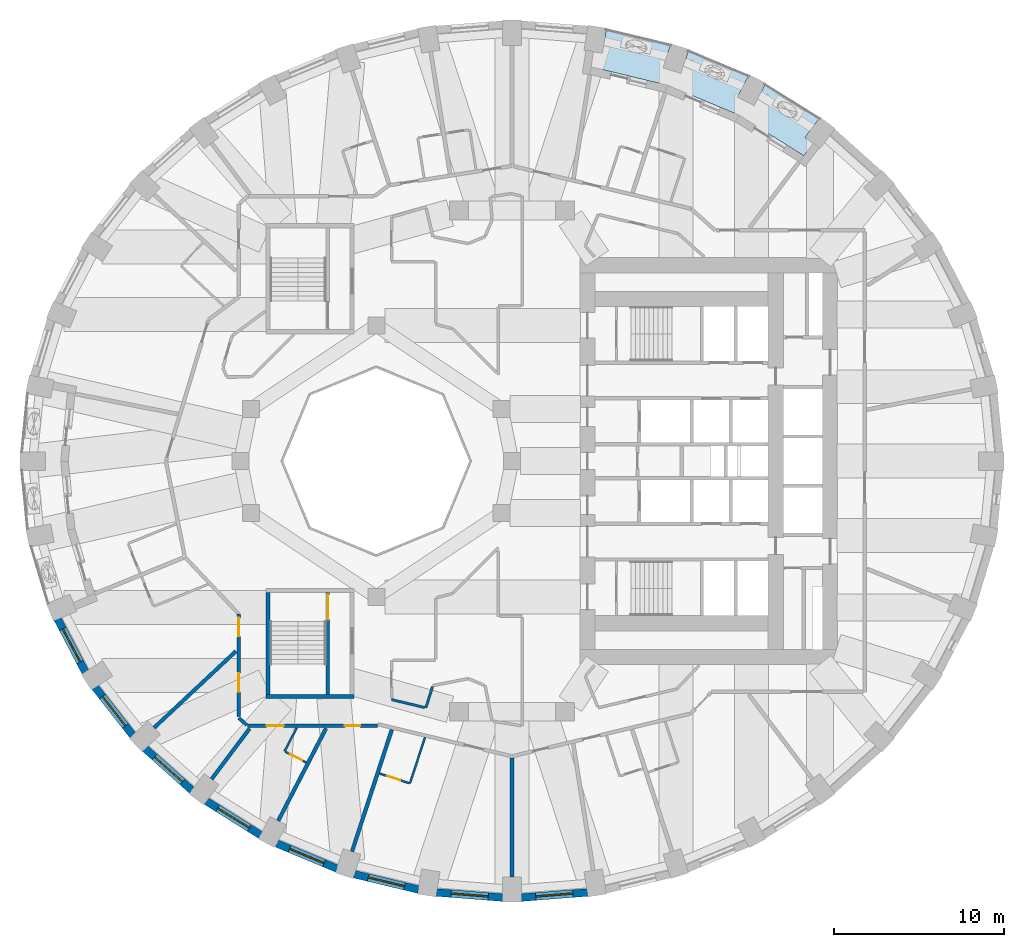
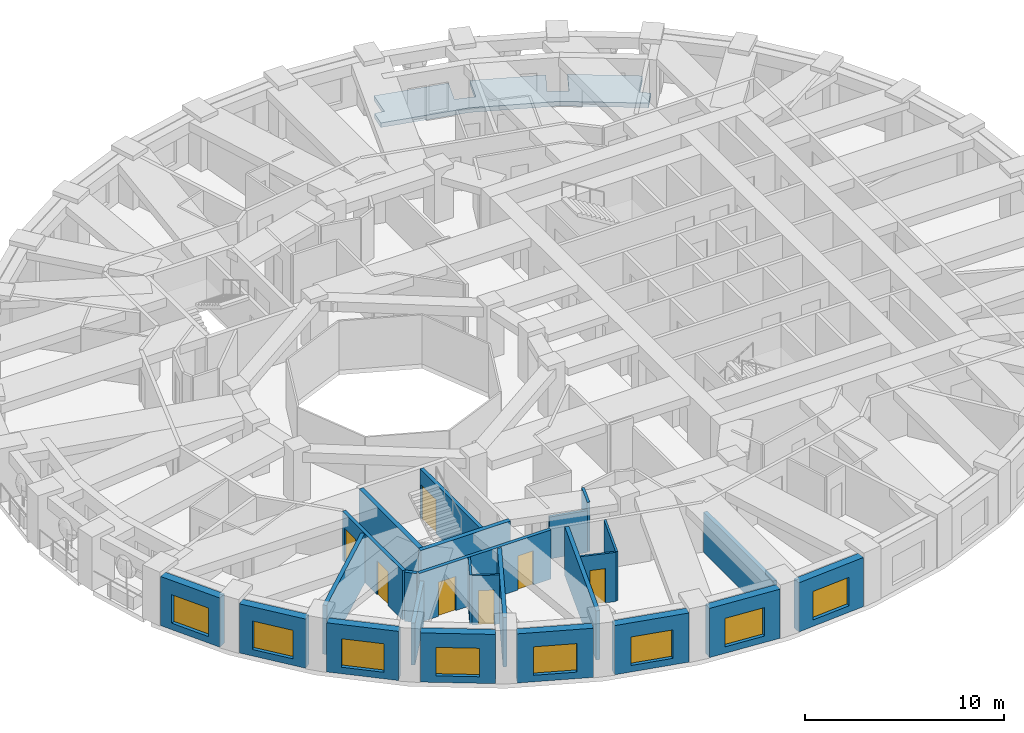
# One storey, part 3 of 14: 25 walls, 8 windows, 7 doors, 1 slab, 15 openings.
"""IFC4 building model written with IfcOpenShell, lengths in metres."""

from ifc_helpers import new_model, si_unit, direction, frame, frame_2d, origin, place, context, subcontext, project, spatial, polyline, rectangle, outline, extrude, material, layer, layer_set, type_object, element, fill, save


model = new_model("IFC4")

# Units and contexts
model_context = context("Model", 3, precision=1e-05, world=origin(), true_north=direction((0.0, 1.0)))
body_context = subcontext(model_context, "Body", "Model", "MODEL_VIEW")
ifc_project = project(units=[si_unit("LENGTHUNIT", "METRE"), si_unit("AREAUNIT", "SQUARE_METRE"), si_unit("VOLUMEUNIT", "CUBIC_METRE"), si_unit("PLANEANGLEUNIT", "RADIAN"), si_unit("MASSUNIT", "GRAM", prefix="KILO")], contexts=[model_context])

# Site, building, storey
site_placement = place(None, origin())
site = spatial("IfcSite", under=ifc_project, at=site_placement, CompositionType="ELEMENT")
building_placement = place(site_placement, origin())
building = spatial("IfcBuilding", under=site, at=building_placement, Name="Taillehof Tower", CompositionType="ELEMENT")
storey_placement = place(building_placement, frame((0.0, 0.0, 28.300048828125)))
storey = spatial("IfcBuildingStorey", under=building, at=storey_placement, Name="L06", CompositionType="ELEMENT", Elevation=28.300048828125)

# Slab
ifc_material_1 = material(Name="Concrete C40/50", Category="concrete")
ifc_layer_1 = layer(ifc_material_1, 0.280029296875)
ifc_layer_set_1 = layer_set([ifc_layer_1], Name="Balcony slab 280")
slab_type = type_object("IfcSlabType", Name="Balcony slab 280", PredefinedType="USERDEFINED", material=ifc_layer_set_1)
slab_placement = place(storey_placement, frame((0.0, 0.0, -0.280029296875)))
element("IfcSlab", 1, at=slab_placement, inside=storey, type_object=slab_type, Name="Balcony L06 pocket 1", ObjectType="BALCONY", PredefinedType="USERDEFINED", context=body_context, shape_type="SweptSolid", body=[
    extrude(outline(polyline([(4.6611328125, 23.234375), (4.801513671875, 24.12353515625), (5.331787109375, 24.039794921875), (5.559326171875, 25.479248046875), (9.357421875, 24.56689453125), (8.906494140625, 23.184814453125), (9.9521484375, 22.843505859375), (10.404296875, 24.22900390625), (13.958984375, 22.742919921875), (13.291748046875, 21.453857421875), (14.2685546875, 20.9482421875), (14.938232421875, 22.24169921875), (18.139404296875, 20.23193359375), (17.268310546875, 19.073974609375), (17.73974609375, 18.71923828125), (17.197998046875, 17.999267578125), (13.396728515625, 20.38525390625), (9.174072265625, 22.150390625), (4.6611328125, 23.234375)])), origin(), (0.0, 0.0, 1.0), 0.280029296875),
])

# Wall, opening, window
ifc_material_2 = material(Name="Brick masonry", Category="masonry")
ifc_layer_2 = layer(ifc_material_2, 0.449951171875)
ifc_layer_set_2 = layer_set([ifc_layer_2], Name="Brick infill wall 450")
wall_type_1 = type_object("IfcWallType", Name="Brick infill wall 450", PredefinedType="SOLIDWALL", material=ifc_layer_set_2)
wall_1_placement = place(storey_placement, frame((-26.78564453125, -9.30517578125, 0.0), z_axis=(0.0, 0.0, 1.0), x_axis=(0.462492775226, -0.886623050041, 0.0)))
wall_1 = element("IfcWall", 2, at=wall_1_placement, inside=storey, type_object=wall_type_1, Name="Brick wall L06 bay 21", PredefinedType="SOLIDWALL", context=body_context, shape_type="SweptSolid", body=[
    extrude(rectangle(XDim=3.531982421875, YDim=0.449951171875, at=frame_2d((1.76611328125, 0.0))), origin(), (0.0, 0.0, 1.0), 3.02001953125),
])
opening_1_placement = place(wall_1_placement, frame((0.666015625, 0.0, 0.39990234375)))
opening_1 = element("IfcOpeningElement", 3, at=opening_1_placement, cuts=wall_1, Name="Opening W1", PredefinedType="OPENING", context=body_context, shape_type="SweptSolid", body=[
    extrude(rectangle(XDim=2.199951171875, YDim=1.75, at=frame_2d((1.10009765625, 0.875))), frame((0.0, 0.23486328125, 0.0), z_axis=(0.0, -1.0, 0.0), x_axis=(1.0, 0.0, 0.0)), (0.0, 0.0, 1.0), 0.469970703125),
])
ifc_material_3 = material(Name="Aluminium window frame with clear double glazing", Category="aluminium")
window_type = type_object("IfcWindowType", Name="Deep-set window 2200x1750", PartitioningType="SINGLE_PANEL", PredefinedType="WINDOW", material=ifc_material_3)
window_1_placement = place(opening_1_placement, origin())
window_1 = element("IfcWindow", 4, at=window_1_placement, inside=storey, type_object=window_type, Name="W1", OverallHeight=1.75, OverallWidth=2.199951171875, PartitioningType="SINGLE_PANEL", PredefinedType="WINDOW", context=body_context, shape_type="SweptSolid", body=[
    extrude(rectangle(XDim=2.199951171875, YDim=1.75, at=frame_2d((1.10009765625, 0.875))), frame((0.0, 0.034912109375, 0.0), z_axis=(0.0, -1.0, 0.0), x_axis=(1.0, 0.0, 0.0)), (0.0, 0.0, 1.0), 0.06005859375),
])
fill(opening_1, window_1)

wall_2_placement = place(storey_placement, frame((-24.57763671875, -13.327880859375, 0.0), z_axis=(0.0, 0.0, 1.0), x_axis=(0.616661975264, -0.787228053529, 0.0)))
wall_2 = element("IfcWall", 5, at=wall_2_placement, inside=storey, type_object=wall_type_1, Name="Brick wall L06 bay 22", PredefinedType="SOLIDWALL", context=body_context, shape_type="SweptSolid", body=[
    extrude(rectangle(XDim=3.60986328125, YDim=0.449951171875, at=frame_2d((1.804931640625, 0.0))), origin(), (0.0, 0.0, 1.0), 3.02001953125),
])
opening_2_placement = place(wall_2_placement, frame((0.704833984375, 0.0, 0.39990234375)))
opening_2 = element("IfcOpeningElement", 6, at=opening_2_placement, cuts=wall_2, Name="Opening W1", PredefinedType="OPENING", context=body_context, shape_type="SweptSolid", body=[
    extrude(rectangle(XDim=2.199951171875, YDim=1.75, at=frame_2d((1.10009765625, 0.875))), frame((0.0, 0.23486328125, 0.0), z_axis=(0.0, -1.0, 0.0), x_axis=(1.0, 0.0, 0.0)), (0.0, 0.0, 1.0), 0.469970703125),
])
window_2_placement = place(opening_2_placement, origin())
window_2 = element("IfcWindow", 7, at=window_2_placement, inside=storey, type_object=window_type, Name="W1", OverallHeight=1.75, OverallWidth=2.199951171875, PartitioningType="SINGLE_PANEL", PredefinedType="WINDOW", context=body_context, shape_type="SweptSolid", body=[
    extrude(rectangle(XDim=2.199951171875, YDim=1.75, at=frame_2d((1.10009765625, 0.875))), frame((0.0, 0.034912109375, 0.0), z_axis=(0.0, -1.0, 0.0), x_axis=(1.0, 0.0, 0.0)), (0.0, 0.0, 1.0), 0.06005859375),
])
fill(opening_2, window_2)

wall_3_placement = place(storey_placement, frame((-21.626708984375, -16.943115234375, 0.0), z_axis=(0.0, 0.0, 1.0), x_axis=(0.745526233716, -0.66647628228, 0.0)))
wall_3 = element("IfcWall", 8, at=wall_3_placement, inside=storey, type_object=wall_type_1, Name="Brick wall L06 bay 23", PredefinedType="SOLIDWALL", context=body_context, shape_type="SweptSolid", body=[
    extrude(rectangle(XDim=3.69677734375, YDim=0.449951171875, at=frame_2d((1.848388671875, 0.0))), origin(), (0.0, 0.0, 1.0), 3.02001953125),
])
opening_3_placement = place(wall_3_placement, frame((0.74853515625, 0.0, 0.39990234375)))
opening_3 = element("IfcOpeningElement", 9, at=opening_3_placement, cuts=wall_3, Name="Opening W1", PredefinedType="OPENING", context=body_context, shape_type="SweptSolid", body=[
    extrude(rectangle(XDim=2.199951171875, YDim=1.75, at=frame_2d((1.10009765625, 0.875))), frame((0.0, 0.23486328125, 0.0), z_axis=(0.0, -1.0, 0.0), x_axis=(1.0, 0.0, 0.0)), (0.0, 0.0, 1.0), 0.469970703125),
])
window_3_placement = place(opening_3_placement, origin())
window_3 = element("IfcWindow", 10, at=window_3_placement, inside=storey, type_object=window_type, Name="W1", OverallHeight=1.75, OverallWidth=2.199951171875, PartitioningType="SINGLE_PANEL", PredefinedType="WINDOW", context=body_context, shape_type="SweptSolid", body=[
    extrude(rectangle(XDim=2.199951171875, YDim=1.75, at=frame_2d((1.10009765625, 0.875))), frame((0.0, 0.034912109375, 0.0), z_axis=(0.0, -1.0, 0.0), x_axis=(1.0, 0.0, 0.0)), (0.0, 0.0, 1.0), 0.06005859375),
])
fill(opening_3, window_3)

wall_4_placement = place(storey_placement, frame((-18.02294921875, -20.043701171875, 0.0), z_axis=(0.0, 0.0, 1.0), x_axis=(0.847635480093, -0.530579016629, 0.0)))
wall_4 = element("IfcWall", 11, at=wall_4_placement, inside=storey, type_object=wall_type_1, Name="Brick wall L06 bay 24", PredefinedType="SOLIDWALL", context=body_context, shape_type="SweptSolid", body=[
    extrude(rectangle(XDim=3.782470703125, YDim=0.449951171875, at=frame_2d((1.89111328125, 0.0))), origin(), (0.0, 0.0, 1.0), 3.02001953125),
])
opening_4_placement = place(wall_4_placement, frame((0.791259765625, 0.0, 0.39990234375)))
opening_4 = element("IfcOpeningElement", 12, at=opening_4_placement, cuts=wall_4, Name="Opening W1", PredefinedType="OPENING", context=body_context, shape_type="SweptSolid", body=[
    extrude(rectangle(XDim=2.199951171875, YDim=1.75, at=frame_2d((1.10009765625, 0.875))), frame((0.0, 0.23486328125, 0.0), z_axis=(0.0, -1.0, 0.0), x_axis=(1.0, 0.0, 0.0)), (0.0, 0.0, 1.0), 0.469970703125),
])
window_4_placement = place(opening_4_placement, origin())
window_4 = element("IfcWindow", 13, at=window_4_placement, inside=storey, type_object=window_type, Name="W1", OverallHeight=1.75, OverallWidth=2.199951171875, PartitioningType="SINGLE_PANEL", PredefinedType="WINDOW", context=body_context, shape_type="SweptSolid", body=[
    extrude(rectangle(XDim=2.199951171875, YDim=1.75, at=frame_2d((1.10009765625, 0.875))), frame((0.0, 0.034912109375, 0.0), z_axis=(0.0, -1.0, 0.0), x_axis=(1.0, 0.0, 0.0)), (0.0, 0.0, 1.0), 0.06005859375),
])
fill(opening_4, window_4)

wall_5_placement = place(storey_placement, frame((-13.875, -22.537353515625, 0.0), z_axis=(0.0, 0.0, 1.0), x_axis=(0.923031964282, -0.384723267966, 0.0)))
wall_5 = element("IfcWall", 14, at=wall_5_placement, inside=storey, type_object=wall_type_1, Name="Brick wall L06 bay 25", PredefinedType="SOLIDWALL", context=body_context, shape_type="SweptSolid", body=[
    extrude(rectangle(XDim=3.8564453125, YDim=0.449951171875, at=frame_2d((1.92822265625, 0.0))), origin(), (0.0, 0.0, 1.0), 3.02001953125),
])
opening_5_placement = place(wall_5_placement, frame((0.828125, 0.0, 0.39990234375)))
opening_5 = element("IfcOpeningElement", 15, at=opening_5_placement, cuts=wall_5, Name="Opening W1", PredefinedType="OPENING", context=body_context, shape_type="SweptSolid", body=[
    extrude(rectangle(XDim=2.199951171875, YDim=1.75, at=frame_2d((1.10009765625, 0.875))), frame((0.0, 0.23486328125, 0.0), z_axis=(0.0, -1.0, 0.0), x_axis=(1.0, 0.0, 0.0)), (0.0, 0.0, 1.0), 0.469970703125),
])
window_5_placement = place(opening_5_placement, origin())
window_5 = element("IfcWindow", 16, at=window_5_placement, inside=storey, type_object=window_type, Name="W1", OverallHeight=1.75, OverallWidth=2.199951171875, PartitioningType="SINGLE_PANEL", PredefinedType="WINDOW", context=body_context, shape_type="SweptSolid", body=[
    extrude(rectangle(XDim=2.199951171875, YDim=1.75, at=frame_2d((1.10009765625, 0.875))), frame((0.0, 0.034912109375, 0.0), z_axis=(0.0, -1.0, 0.0), x_axis=(1.0, 0.0, 0.0)), (0.0, 0.0, 1.0), 0.06005859375),
])
fill(opening_5, window_5)

wall_6_placement = place(storey_placement, frame((-9.3076171875, -24.349609375, 0.0), z_axis=(0.0, 0.0, 1.0), x_axis=(0.972496561493, -0.232917233979, 0.0)))
wall_6 = element("IfcWall", 17, at=wall_6_placement, inside=storey, type_object=wall_type_1, Name="Brick wall L06 bay 26", PredefinedType="SOLIDWALL", context=body_context, shape_type="SweptSolid", body=[
    extrude(rectangle(XDim=3.910888671875, YDim=0.449951171875, at=frame_2d((1.95556640625, 0.0))), origin(), (0.0, 0.0, 1.0), 3.02001953125),
])
opening_6_placement = place(wall_6_placement, frame((0.855224609375, 0.0, 0.39990234375)))
opening_6 = element("IfcOpeningElement", 18, at=opening_6_placement, cuts=wall_6, Name="Opening W1", PredefinedType="OPENING", context=body_context, shape_type="SweptSolid", body=[
    extrude(rectangle(XDim=2.199951171875, YDim=1.75, at=frame_2d((1.10009765625, 0.875))), frame((0.0, 0.23486328125, 0.0), z_axis=(0.0, -1.0, 0.0), x_axis=(1.0, 0.0, 0.0)), (0.0, 0.0, 1.0), 0.469970703125),
])
window_6_placement = place(opening_6_placement, origin())
window_6 = element("IfcWindow", 19, at=window_6_placement, inside=storey, type_object=window_type, Name="W1", OverallHeight=1.75, OverallWidth=2.199951171875, PartitioningType="SINGLE_PANEL", PredefinedType="WINDOW", context=body_context, shape_type="SweptSolid", body=[
    extrude(rectangle(XDim=2.199951171875, YDim=1.75, at=frame_2d((1.10009765625, 0.875))), frame((0.0, 0.034912109375, 0.0), z_axis=(0.0, -1.0, 0.0), x_axis=(1.0, 0.0, 0.0)), (0.0, 0.0, 1.0), 0.06005859375),
])
fill(opening_6, window_6)

wall_7_placement = place(storey_placement, frame((-4.457275390625, -25.42578125, 0.0), z_axis=(0.0, 0.0, 1.0), x_axis=(0.996955972145, -0.077966592873, 0.0)))
wall_7 = element("IfcWall", 20, at=wall_7_placement, inside=storey, type_object=wall_type_1, Name="Brick wall L06 bay 27", PredefinedType="SOLIDWALL", context=body_context, shape_type="SweptSolid", body=[
    extrude(rectangle(XDim=3.939208984375, YDim=0.449951171875, at=frame_2d((1.9697265625, 0.0))), origin(), (0.0, 0.0, 1.0), 3.02001953125),
])
opening_7_placement = place(wall_7_placement, frame((0.86962890625, 0.0, 0.39990234375)))
opening_7 = element("IfcOpeningElement", 21, at=opening_7_placement, cuts=wall_7, Name="Opening W1", PredefinedType="OPENING", context=body_context, shape_type="SweptSolid", body=[
    extrude(rectangle(XDim=2.199951171875, YDim=1.75, at=frame_2d((1.10009765625, 0.875))), frame((0.0, 0.23486328125, 0.0), z_axis=(0.0, -1.0, 0.0), x_axis=(1.0, 0.0, 0.0)), (0.0, 0.0, 1.0), 0.469970703125),
])
window_7_placement = place(opening_7_placement, origin())
window_7 = element("IfcWindow", 22, at=window_7_placement, inside=storey, type_object=window_type, Name="W1", OverallHeight=1.75, OverallWidth=2.199951171875, PartitioningType="SINGLE_PANEL", PredefinedType="WINDOW", context=body_context, shape_type="SweptSolid", body=[
    extrude(rectangle(XDim=2.199951171875, YDim=1.75, at=frame_2d((1.10009765625, 0.875))), frame((0.0, 0.034912109375, 0.0), z_axis=(0.0, -1.0, 0.0), x_axis=(1.0, 0.0, 0.0)), (0.0, 0.0, 1.0), 0.06005859375),
])
fill(opening_7, window_7)

wall_8_placement = place(storey_placement, frame((0.530029296875, -25.73291015625, 0.0), z_axis=(0.0, 0.0, 1.0), x_axis=(0.996955972145, 0.077966592873, 0.0)))
wall_8 = element("IfcWall", 23, at=wall_8_placement, inside=storey, type_object=wall_type_1, Name="Brick wall L06 bay 28", PredefinedType="SOLIDWALL", context=body_context, shape_type="SweptSolid", body=[
    extrude(rectangle(XDim=3.939208984375, YDim=0.449951171875, at=frame_2d((1.9697265625, 0.0))), origin(), (0.0, 0.0, 1.0), 3.02001953125),
])
opening_8_placement = place(wall_8_placement, frame((0.86962890625, 0.0, 0.39990234375)))
opening_8 = element("IfcOpeningElement", 24, at=opening_8_placement, cuts=wall_8, Name="Opening W1", PredefinedType="OPENING", context=body_context, shape_type="SweptSolid", body=[
    extrude(rectangle(XDim=2.199951171875, YDim=1.75, at=frame_2d((1.10009765625, 0.875))), frame((0.0, 0.23486328125, 0.0), z_axis=(0.0, -1.0, 0.0), x_axis=(1.0, 0.0, 0.0)), (0.0, 0.0, 1.0), 0.469970703125),
])
window_8_placement = place(opening_8_placement, origin())
window_8 = element("IfcWindow", 25, at=window_8_placement, inside=storey, type_object=window_type, Name="W1", OverallHeight=1.75, OverallWidth=2.199951171875, PartitioningType="SINGLE_PANEL", PredefinedType="WINDOW", context=body_context, shape_type="SweptSolid", body=[
    extrude(rectangle(XDim=2.199951171875, YDim=1.75, at=frame_2d((1.10009765625, 0.875))), frame((0.0, 0.034912109375, 0.0), z_axis=(0.0, -1.0, 0.0), x_axis=(1.0, 0.0, 0.0)), (0.0, 0.0, 1.0), 0.06005859375),
])
fill(opening_8, window_8)

# Wall, openings, doors
ifc_material_4 = material(Name="Gypsum board on steel studs, two layers each side", Category="steel")
ifc_layer_3 = layer(ifc_material_4, 0.199951171875)
ifc_layer_set_3 = layer_set([ifc_layer_3], Name="Compartment wall corridor 200")
wall_type_2 = type_object("IfcWallType", Name="Compartment wall corridor 200", PredefinedType="PARTITIONING", material=ifc_layer_set_3)
wall_9_placement = place(storey_placement, frame((-7.919921875, -15.60009765625, 0.0), z_axis=(0.0, 0.0, 1.0), x_axis=(-1.0, 0.0, 0.0)))
wall_9 = element("IfcWall", 26, at=wall_9_placement, inside=storey, type_object=wall_type_2, Name="Compartment wall", PredefinedType="PARTITIONING", context=body_context, shape_type="SweptSolid", body=[
    extrude(rectangle(XDim=7.671630859375, YDim=0.199951171875, at=frame_2d((3.8359375, 0.0))), origin(), (0.0, 0.0, 1.0), 3.02001953125),
])
opening_9_placement = place(wall_9_placement, frame((5.537353515625, 0.0, 0.0)))
opening_9 = element("IfcOpeningElement", 27, at=opening_9_placement, cuts=wall_9, Name="Opening D0659", PredefinedType="OPENING", context=body_context, shape_type="SweptSolid", body=[
    extrude(rectangle(XDim=1.0, YDim=2.10009765625, at=frame_2d((0.5, 1.050048828125))), frame((0.0, 0.10986328125, 0.0), z_axis=(0.0, -1.0, 0.0), x_axis=(1.0, 0.0, 0.0)), (0.0, 0.0, 1.0), 0.219970703125),
])
opening_10_placement = place(wall_9_placement, frame((1.0361328125, 0.0, 0.0)))
opening_10 = element("IfcOpeningElement", 28, at=opening_10_placement, cuts=wall_9, Name="Opening D0661", PredefinedType="OPENING", context=body_context, shape_type="SweptSolid", body=[
    extrude(rectangle(XDim=0.89990234375, YDim=2.10009765625, at=frame_2d((0.449951171875, 1.050048828125))), frame((0.0, 0.10986328125, 0.0), z_axis=(0.0, -1.0, 0.0), x_axis=(1.0, 0.0, 0.0)), (0.0, 0.0, 1.0), 0.219970703125),
])
ifc_material_5 = material(Name="Timber door leaf in steel frame", Category="steel")
door_type_1 = type_object("IfcDoorType", Name="Guest room door EI 30 1000 x 2100", OperationType="SINGLE_SWING_LEFT", PredefinedType="DOOR", material=ifc_material_5)
door_1_placement = place(opening_9_placement, origin())
door_1 = element("IfcDoor", 29, at=door_1_placement, inside=storey, type_object=door_type_1, Name="D0659", OperationType="SINGLE_SWING_LEFT", OverallHeight=2.10009765625, OverallWidth=1.0, PredefinedType="DOOR", context=body_context, shape_type="SweptSolid", body=[
    extrude(rectangle(XDim=1.0, YDim=2.10009765625, at=frame_2d((0.5, 1.050048828125))), frame((0.0, 0.02490234375, 0.0), z_axis=(0.0, -1.0, 0.0), x_axis=(1.0, 0.0, 0.0)), (0.0, 0.0, 1.0), 0.050048828125),
])
fill(opening_9, door_1)
ifc_material_6 = material(Name="Timber door leaf in steel frame", Category="steel")
door_type_2 = type_object("IfcDoorType", Name="Service room door EI 30 900 x 2100", OperationType="SINGLE_SWING_LEFT", PredefinedType="DOOR", material=ifc_material_6)
door_2_placement = place(opening_10_placement, origin())
door_2 = element("IfcDoor", 30, at=door_2_placement, inside=storey, type_object=door_type_2, Name="D0661", OperationType="SINGLE_SWING_RIGHT", OverallHeight=2.10009765625, OverallWidth=0.89990234375, PredefinedType="DOOR", context=body_context, shape_type="SweptSolid", body=[
    extrude(rectangle(XDim=0.89990234375, YDim=2.10009765625, at=frame_2d((0.449951171875, 1.050048828125))), frame((0.0, 0.02490234375, 0.0), z_axis=(0.0, -1.0, 0.0), x_axis=(1.0, 0.0, 0.0)), (0.0, 0.0, 1.0), 0.050048828125),
])
fill(opening_10, door_2)

# Wall
wall_10_placement = place(storey_placement, frame((-15.63623046875, -15.559814453125, 0.0), z_axis=(0.0, 0.0, 1.0), x_axis=(-0.744656758283, 0.667447610187, 0.0)))
element("IfcWall", 31, at=wall_10_placement, inside=storey, type_object=wall_type_2, Name="Compartment wall", PredefinedType="PARTITIONING", context=body_context, shape_type="SweptSolid", body=[
    extrude(rectangle(XDim=0.623046875, YDim=0.199951171875, at=frame_2d((0.3115234375, 0.0))), origin(), (0.0, 0.0, 1.0), 3.02001953125),
])

# Wall, openings, doors
wall_11_placement = place(storey_placement, frame((-16.10009765625, -15.06396484375, 0.0), z_axis=(0.0, 0.0, 1.0), x_axis=(0.0, 1.0, 0.0)))
wall_11 = element("IfcWall", 32, at=wall_11_placement, inside=storey, type_object=wall_type_2, Name="Compartment wall", PredefinedType="PARTITIONING", context=body_context, shape_type="SweptSolid", body=[
    extrude(rectangle(XDim=6.046875, YDim=0.199951171875, at=frame_2d((3.0234375, 0.0))), origin(), (0.0, 0.0, 1.0), 3.02001953125),
])
opening_11_placement = place(wall_11_placement, frame((4.726806640625, 0.0, 0.0)))
opening_11 = element("IfcOpeningElement", 33, at=opening_11_placement, cuts=wall_11, Name="Opening D0656", PredefinedType="OPENING", context=body_context, shape_type="SweptSolid", body=[
    extrude(rectangle(XDim=1.10009765625, YDim=2.10009765625, at=frame_2d((0.550048828125, 1.050048828125))), frame((0.0, 0.10986328125, 0.0), z_axis=(0.0, -1.0, 0.0), x_axis=(1.0, 0.0, 0.0)), (0.0, 0.0, 1.0), 0.219970703125),
])
opening_12_placement = place(wall_11_placement, frame((1.466552734375, 0.0, 0.0)))
opening_12 = element("IfcOpeningElement", 34, at=opening_12_placement, cuts=wall_11, Name="Opening D0658", PredefinedType="OPENING", context=body_context, shape_type="SweptSolid", body=[
    extrude(rectangle(XDim=1.10009765625, YDim=2.10009765625, at=frame_2d((0.550048828125, 1.050048828125))), frame((0.0, 0.10986328125, 0.0), z_axis=(0.0, -1.0, 0.0), x_axis=(1.0, 0.0, 0.0)), (0.0, 0.0, 1.0), 0.219970703125),
])
ifc_material_7 = material(Name="Timber door leaf in steel frame", Category="steel")
door_type_3 = type_object("IfcDoorType", Name="Suite entrance door EI 30 1100 x 2100", OperationType="SINGLE_SWING_LEFT", PredefinedType="DOOR", material=ifc_material_7)
door_3_placement = place(opening_11_placement, origin())
door_3 = element("IfcDoor", 35, at=door_3_placement, inside=storey, type_object=door_type_3, Name="D0656", OperationType="SINGLE_SWING_RIGHT", OverallHeight=2.10009765625, OverallWidth=1.10009765625, PredefinedType="DOOR", context=body_context, shape_type="SweptSolid", body=[
    extrude(rectangle(XDim=1.10009765625, YDim=2.10009765625, at=frame_2d((0.550048828125, 1.050048828125))), frame((0.0, 0.02490234375, 0.0), z_axis=(0.0, -1.0, 0.0), x_axis=(1.0, 0.0, 0.0)), (0.0, 0.0, 1.0), 0.050048828125),
])
fill(opening_11, door_3)
door_4_placement = place(opening_12_placement, origin())
door_4 = element("IfcDoor", 36, at=door_4_placement, inside=storey, type_object=door_type_3, Name="D0658", OperationType="SINGLE_SWING_RIGHT", OverallHeight=2.10009765625, OverallWidth=1.10009765625, PredefinedType="DOOR", context=body_context, shape_type="SweptSolid", body=[
    extrude(rectangle(XDim=1.10009765625, YDim=2.10009765625, at=frame_2d((0.550048828125, 1.050048828125))), frame((0.0, 0.02490234375, 0.0), z_axis=(0.0, -1.0, 0.0), x_axis=(1.0, 0.0, 0.0)), (0.0, 0.0, 1.0), 0.050048828125),
])
fill(opening_12, door_4)

# Walls
ifc_material_8 = material(Name="Gypsum board on double steel studs with mineral wool", Category="steel")
ifc_layer_4 = layer(ifc_material_8, 0.219970703125)
ifc_layer_set_4 = layer_set([ifc_layer_4], Name="Compartment wall guest room 220")
wall_type_3 = type_object("IfcWallType", Name="Compartment wall guest room 220", PredefinedType="PARTITIONING", material=ifc_layer_set_4)
wall_12_placement = place(storey_placement, frame((-21.09326171875, -15.7177734375, 0.0), z_axis=(0.0, 0.0, 1.0), x_axis=(0.73009284205, 0.683347965525, 0.0)))
element("IfcWall", 37, at=wall_12_placement, inside=storey, type_object=wall_type_3, Name="Compartment wall", PredefinedType="PARTITIONING", context=body_context, shape_type="SweptSolid", body=[
    extrude(rectangle(XDim=6.6015625, YDim=0.219970703125, at=frame_2d((3.30078125, 0.0))), origin(), (0.0, 0.0, 1.0), 3.02001953125),
])
wall_13_placement = place(storey_placement, frame((-17.707763671875, -18.7431640625, 0.0), z_axis=(0.0, 0.0, 1.0), x_axis=(0.601172757903, 0.799119086967, 0.0)))
element("IfcWall", 38, at=wall_13_placement, inside=storey, type_object=wall_type_3, Name="Compartment wall", PredefinedType="PARTITIONING", context=body_context, shape_type="SweptSolid", body=[
    extrude(rectangle(XDim=3.728515625, YDim=0.219970703125, at=frame_2d((1.8642578125, 0.0))), origin(), (0.0, 0.0, 1.0), 2.570068359375),
])
wall_14_placement = place(storey_placement, frame((-13.7802734375, -21.201171875, 0.0), z_axis=(0.0, 0.0, 1.0), x_axis=(0.459699000582, 0.888074787878, 0.0)))
element("IfcWall", 39, at=wall_14_placement, inside=storey, type_object=wall_type_3, Name="Compartment wall", PredefinedType="PARTITIONING", context=body_context, shape_type="SweptSolid", body=[
    extrude(rectangle(XDim=6.134033203125, YDim=0.219970703125, at=frame_2d((3.06689453125, 0.0))), origin(), (0.0, 0.0, 1.0), 3.02001953125),
])
wall_15_placement = place(storey_placement, frame((-9.429443359375, -23.01416015625, 0.0), z_axis=(0.0, 0.0, 1.0), x_axis=(0.310261176215, 0.950651356983, 0.0)))
element("IfcWall", 40, at=wall_15_placement, inside=storey, type_object=wall_type_3, Name="Compartment wall", PredefinedType="PARTITIONING", context=body_context, shape_type="SweptSolid", body=[
    extrude(rectangle(XDim=7.557373046875, YDim=0.219970703125, at=frame_2d((3.77880859375, 0.0))), origin(), (0.0, 0.0, 1.0), 3.02001953125),
])
wall_16_placement = place(storey_placement, frame((0.0, -24.5, 0.0), z_axis=(0.0, 0.0, 1.0), x_axis=(0.0, 1.0, 0.0)))
element("IfcWall", 41, at=wall_16_placement, inside=storey, type_object=wall_type_3, Name="Compartment wall", PredefinedType="PARTITIONING", context=body_context, shape_type="SweptSolid", body=[
    extrude(rectangle(XDim=7.0, YDim=0.219970703125, at=frame_2d((3.5, 0.0))), origin(), (0.0, 0.0, 1.0), 2.469970703125),
])
ifc_material_9 = material(Name="Gypsum board on steel studs, two layers each side", Category="steel")
ifc_layer_5 = layer(ifc_material_9, 0.14990234375)
ifc_layer_set_5 = layer_set([ifc_layer_5], Name="Compartment wall service room 150")
wall_type_4 = type_object("IfcWallType", Name="Compartment wall service room 150", PredefinedType="PARTITIONING", material=ifc_layer_set_5)
wall_17_placement = place(storey_placement, frame((-4.683349609375, -13.289306640625, 0.0), z_axis=(0.0, 0.0, 1.0), x_axis=(-0.298931613931, -0.954274536071, 0.0)))
element("IfcWall", 42, at=wall_17_placement, inside=storey, type_object=wall_type_4, Name="Compartment wall", PredefinedType="PARTITIONING", context=body_context, shape_type="SweptSolid", body=[
    extrude(rectangle(XDim=1.3125, YDim=0.14990234375, at=frame_2d((0.65625, 0.0))), origin(), (0.0, 0.0, 1.0), 3.02001953125),
])
wall_18_placement = place(storey_placement, frame((-5.15380859375, -14.523193359375, 0.0), z_axis=(0.0, 0.0, 1.0), x_axis=(-0.97258848944, 0.232533073366, 0.0)))
element("IfcWall", 43, at=wall_18_placement, inside=storey, type_object=wall_type_4, Name="Compartment wall", PredefinedType="PARTITIONING", context=body_context, shape_type="SweptSolid", body=[
    extrude(rectangle(XDim=2.001220703125, YDim=0.14990234375, at=frame_2d((1.00048828125, 0.0))), origin(), (0.0, 0.0, 1.0), 2.570068359375),
])
ifc_material_10 = material(Name="Gypsum board on steel studs, moisture resistant", Category="steel")
ifc_layer_6 = layer(ifc_material_10, 0.1201171875)
ifc_layer_set_6 = layer_set([ifc_layer_6], Name="En-suite wall 120")
wall_type_5 = type_object("IfcWallType", Name="En-suite wall 120", PredefinedType="PARTITIONING", material=ifc_layer_set_6)
wall_19_placement = place(storey_placement, frame((-12.687255859375, -15.718017578125, 0.0), z_axis=(0.0, 0.0, 1.0), x_axis=(-0.459775159711, -0.888035361071, 0.0)))
element("IfcWall", 44, at=wall_19_placement, inside=storey, type_object=wall_type_5, Name="En-suite wall", PredefinedType="PARTITIONING", context=body_context, shape_type="SweptSolid", body=[
    extrude(rectangle(XDim=1.56494140625, YDim=0.1201171875, at=frame_2d((0.782470703125, 0.0))), origin(), (0.0, 0.0, 1.0), 3.02001953125),
])
wall_20_placement = place(storey_placement, frame((-5.127197265625, -16.27734375, 0.0), z_axis=(0.0, 0.0, 1.0), x_axis=(-0.310206676877, -0.950669142037, 0.0)))
element("IfcWall", 45, at=wall_20_placement, inside=storey, type_object=wall_type_5, Name="En-suite wall", PredefinedType="PARTITIONING", context=body_context, shape_type="SweptSolid", body=[
    extrude(rectangle(XDim=2.861572265625, YDim=0.1201171875, at=frame_2d((1.4306640625, 0.0))), origin(), (0.0, 0.0, 1.0), 3.02001953125),
])

# Wall, opening, door
wall_21_placement = place(storey_placement, frame((-13.353271484375, -17.135498046875, 0.0), z_axis=(0.0, 0.0, 1.0), x_axis=(0.888075681402, -0.459697274413, 0.0)))
wall_21 = element("IfcWall", 46, at=wall_21_placement, inside=storey, type_object=wall_type_5, Name="En-suite wall", PredefinedType="PARTITIONING", context=body_context, shape_type="SweptSolid", body=[
    extrude(rectangle(XDim=1.3798828125, YDim=0.1201171875, at=frame_2d((0.68994140625, 0.0))), origin(), (0.0, 0.0, 1.0), 3.02001953125),
])
opening_13_placement = place(wall_21_placement, frame((0.314697265625, 0.0, 0.0)))
opening_13 = element("IfcOpeningElement", 47, at=opening_13_placement, cuts=wall_21, Name="Opening D0660", PredefinedType="OPENING", context=body_context, shape_type="SweptSolid", body=[
    extrude(rectangle(XDim=0.800048828125, YDim=2.10009765625, at=frame_2d((0.39990234375, 1.050048828125))), frame((0.0, 0.070068359375, 0.0), z_axis=(0.0, -1.0, 0.0), x_axis=(1.0, 0.0, 0.0)), (0.0, 0.0, 1.0), 0.14013671875),
])
ifc_material_11 = material(Name="Timber door leaf in steel frame", Category="steel")
door_type_4 = type_object("IfcDoorType", Name="En-suite door 800 x 2100", OperationType="SINGLE_SWING_LEFT", PredefinedType="DOOR", material=ifc_material_11)
door_5_placement = place(opening_13_placement, origin())
door_5 = element("IfcDoor", 48, at=door_5_placement, inside=storey, type_object=door_type_4, Name="D0660", OperationType="SINGLE_SWING_RIGHT", OverallHeight=2.10009765625, OverallWidth=0.800048828125, PredefinedType="DOOR", context=body_context, shape_type="SweptSolid", body=[
    extrude(rectangle(XDim=0.800048828125, YDim=2.10009765625, at=frame_2d((0.39990234375, 1.050048828125))), frame((0.0, 0.02490234375, 0.0), z_axis=(0.0, -1.0, 0.0), x_axis=(1.0, 0.0, 0.0)), (0.0, 0.0, 1.0), 0.050048828125),
])
fill(opening_13, door_5)

wall_22_placement = place(storey_placement, frame((-6.072021484375, -18.979248046875, 0.0), z_axis=(0.0, 0.0, 1.0), x_axis=(-0.950678536911, 0.31017788357, 0.0)))
wall_22 = element("IfcWall", 49, at=wall_22_placement, inside=storey, type_object=wall_type_5, Name="En-suite wall", PredefinedType="PARTITIONING", context=body_context, shape_type="SweptSolid", body=[
    extrude(rectangle(XDim=1.830078125, YDim=0.1201171875, at=frame_2d((0.9150390625, 0.0))), origin(), (0.0, 0.0, 1.0), 3.02001953125),
])
opening_14_placement = place(wall_22_placement, frame((0.5400390625, 0.0, 0.0)))
opening_14 = element("IfcOpeningElement", 50, at=opening_14_placement, cuts=wall_22, Name="Opening D0663", PredefinedType="OPENING", context=body_context, shape_type="SweptSolid", body=[
    extrude(rectangle(XDim=0.800048828125, YDim=2.10009765625, at=frame_2d((0.39990234375, 1.050048828125))), frame((0.0, 0.070068359375, 0.0), z_axis=(0.0, -1.0, 0.0), x_axis=(1.0, 0.0, 0.0)), (0.0, 0.0, 1.0), 0.14013671875),
])
door_6_placement = place(opening_14_placement, origin())
door_6 = element("IfcDoor", 51, at=door_6_placement, inside=storey, type_object=door_type_4, Name="D0663", OperationType="SINGLE_SWING_RIGHT", OverallHeight=2.10009765625, OverallWidth=0.800048828125, PredefinedType="DOOR", context=body_context, shape_type="SweptSolid", body=[
    extrude(rectangle(XDim=0.800048828125, YDim=2.10009765625, at=frame_2d((0.39990234375, 1.050048828125))), frame((0.0, 0.02490234375, 0.0), z_axis=(0.0, -1.0, 0.0), x_axis=(1.0, 0.0, 0.0)), (0.0, 0.0, 1.0), 0.050048828125),
])
fill(opening_14, door_6)

ifc_material_12 = material(Name="Concrete C50/60", Category="concrete")
ifc_layer_7 = layer(ifc_material_12, 0.199951171875)
ifc_layer_set_7 = layer_set([ifc_layer_7], Name="Shaft wall C50/60 200")
wall_type_6 = type_object("IfcWallType", Name="Shaft wall C50/60 200", PredefinedType="SHEAR", material=ifc_layer_set_7)
wall_23_placement = place(storey_placement, frame((-10.85009765625, -13.75, 0.0), z_axis=(0.0, 0.0, 1.0), x_axis=(0.0, 1.0, 0.0)))
wall_23 = element("IfcWall", 52, at=wall_23_placement, inside=storey, type_object=wall_type_6, Name="Shaft wall SW", PredefinedType="SHEAR", context=body_context, shape_type="SweptSolid", body=[
    extrude(rectangle(XDim=6.0, YDim=0.199951171875, at=frame_2d((3.0, 0.0))), origin(), (0.0, 0.0, 1.0), 3.02001953125),
])
opening_15_placement = place(wall_23_placement, frame((4.39990234375, 0.0, 0.0)))
opening_15 = element("IfcOpeningElement", 53, at=opening_15_placement, cuts=wall_23, Name="Opening D0613", PredefinedType="OPENING", context=body_context, shape_type="SweptSolid", body=[
    extrude(rectangle(XDim=1.5, YDim=2.10009765625, at=frame_2d((0.75, 1.050048828125))), frame((0.0, 0.10986328125, 0.0), z_axis=(0.0, -1.0, 0.0), x_axis=(1.0, 0.0, 0.0)), (0.0, 0.0, 1.0), 0.219970703125),
])
ifc_material_13 = material(Name="Steel-faced fire door", Category="steel")
door_type_5 = type_object("IfcDoorType", Name="Stair door 1500x2100", OperationType="DOUBLE_DOOR_SINGLE_SWING", PredefinedType="DOOR", material=ifc_material_13)
door_7_placement = place(opening_15_placement, origin())
door_7 = element("IfcDoor", 54, at=door_7_placement, inside=storey, type_object=door_type_5, Name="Stair lobby door S4", OperationType="DOUBLE_DOOR_SINGLE_SWING", OverallHeight=2.10009765625, OverallWidth=1.5, PredefinedType="DOOR", context=body_context, shape_type="SweptSolid", body=[
    extrude(rectangle(XDim=1.5, YDim=2.10009765625, at=frame_2d((0.75, 1.050048828125))), frame((0.0, 0.02490234375, 0.0), z_axis=(0.0, -1.0, 0.0), x_axis=(1.0, 0.0, 0.0)), (0.0, 0.0, 1.0), 0.050048828125),
])
fill(opening_15, door_7)

# Walls
ifc_material_14 = material(Name="Concrete C50/60", Category="concrete")
ifc_layer_8 = layer(ifc_material_14, 0.25)
ifc_layer_set_8 = layer_set([ifc_layer_8], Name="Stair wall C50/60 250")
wall_type_7 = type_object("IfcWallType", Name="Stair wall C50/60 250", PredefinedType="SHEAR", material=ifc_layer_set_8)
wall_24_placement = place(storey_placement, frame((-14.375, -13.75, -0.280029296875), z_axis=(0.0, 0.0, 1.0), x_axis=(0.0, 1.0, 0.0)))
element("IfcWall", 55, at=wall_24_placement, inside=storey, type_object=wall_type_7, Name="Stair wall SC", PredefinedType="SHEAR", context=body_context, shape_type="SweptSolid", body=[
    extrude(rectangle(XDim=6.0, YDim=0.25, at=frame_2d((3.0, 0.0))), origin(), (0.0, 0.0, 1.0), 3.300048828125),
])
wall_25_placement = place(storey_placement, frame((-14.5, -13.875, -0.280029296875), z_axis=(0.0, 0.0, 1.0), x_axis=(1.0, 0.0, 0.0)))
element("IfcWall", 56, at=wall_25_placement, inside=storey, type_object=wall_type_7, Name="Stair wall SC", PredefinedType="SHEAR", context=body_context, shape_type="SweptSolid", body=[
    extrude(rectangle(XDim=5.199951171875, YDim=0.25, at=frame_2d((2.60009765625, 0.0))), origin(), (0.0, 0.0, 1.0), 3.300048828125),
])

save(model, "model.ifc")
